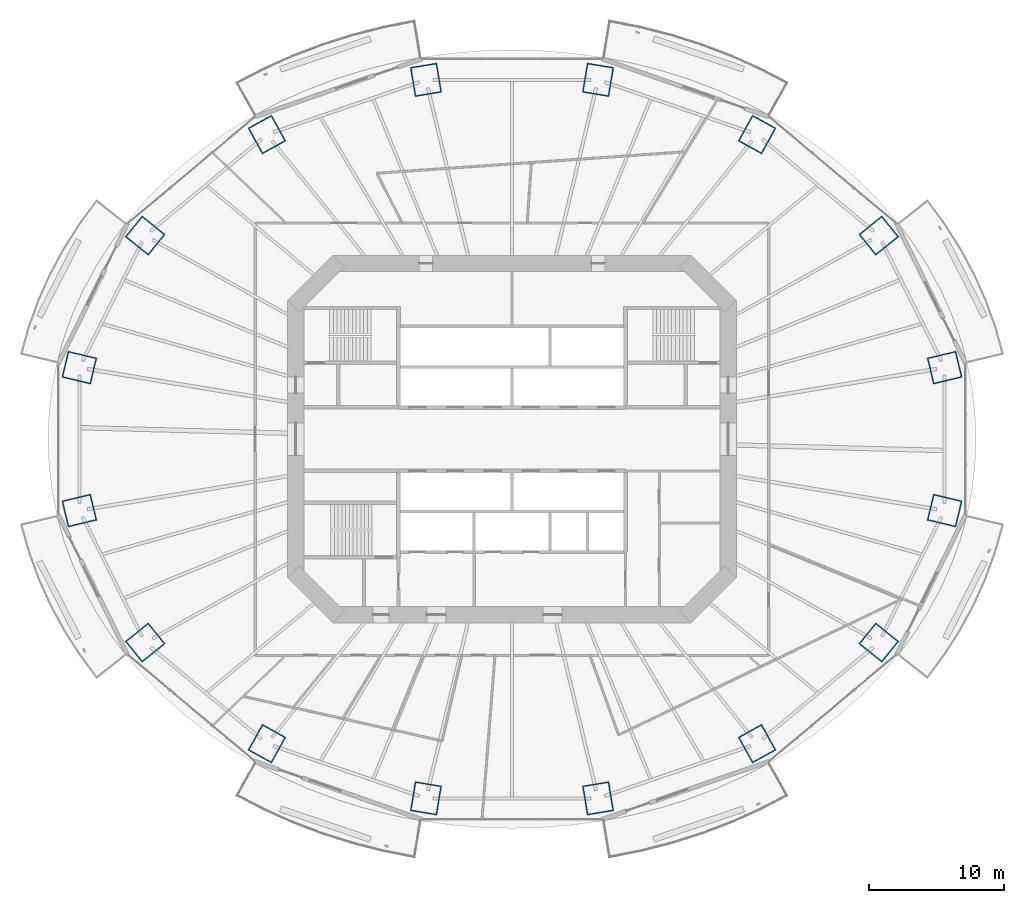
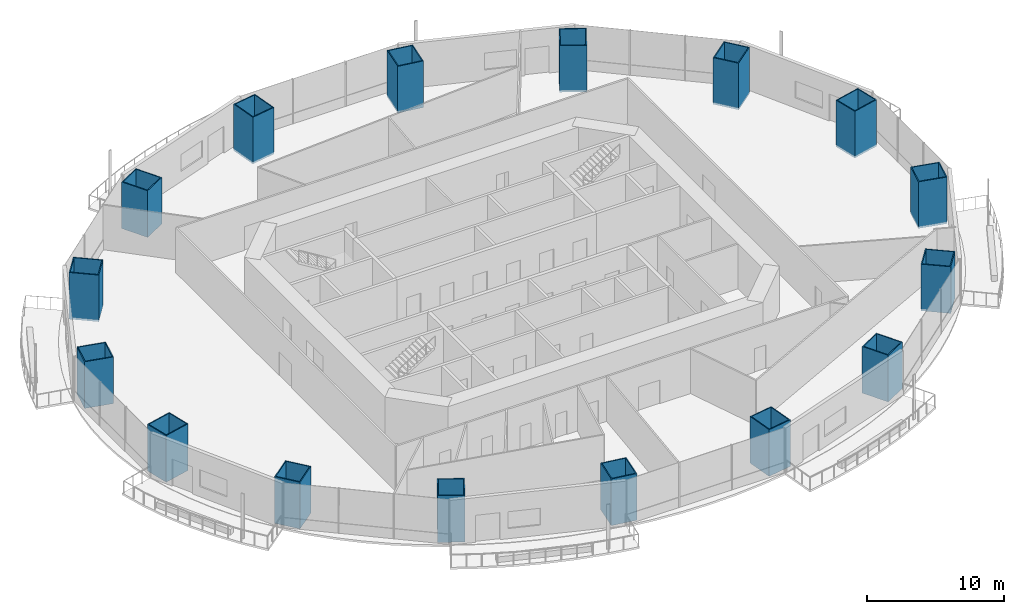
# One storey, part 1 of 22: 16 columns.
"""IFC4 building model written with IfcOpenShell, lengths in metres."""

from ifc_helpers import new_model, si_unit, direction, frame, origin, origin_2d, place, context, subcontext, project, spatial, rectangle, hollow_rectangle, extrude, material, material_profile, profile_set, type_object, element, save


model = new_model("IFC4")

# Units and contexts
model_context = context("Model", 3, precision=1e-05, world=origin(), true_north=direction((0.0, 1.0)))
body_context = subcontext(model_context, "Body", "Model", "MODEL_VIEW")
ifc_project = project(units=[si_unit("LENGTHUNIT", "METRE"), si_unit("AREAUNIT", "SQUARE_METRE"), si_unit("VOLUMEUNIT", "CUBIC_METRE"), si_unit("PLANEANGLEUNIT", "RADIAN"), si_unit("MASSUNIT", "GRAM", prefix="KILO")], contexts=[model_context])

# Site, building, storey
site_placement = place(None, origin())
site = spatial("IfcSite", under=ifc_project, at=site_placement, CompositionType="ELEMENT")
building_placement = place(site_placement, origin())
building = spatial("IfcBuilding", under=site, at=building_placement, Name="Marenthal Gate Tower", CompositionType="ELEMENT")
storey_placement = place(building_placement, frame((0.0, 0.0, 107.699951171875)))
storey = spatial("IfcBuildingStorey", under=building, at=storey_placement, Name="L22", CompositionType="ELEMENT", Elevation=107.699951171875)

# Columns
ifc_material_1 = material(Name="Steel S460", Category="steel")
ifc_material_profile_1 = material_profile(ifc_material_1, hollow_rectangle(XDim=2.0, YDim=2.199951171875, WallThickness=0.080078125, at=origin_2d()), Name="CFT BOX 2200X2000X80")
ifc_material_2 = material(Name="Concrete 70 MPa", Category="concrete")
ifc_material_profile_2 = material_profile(ifc_material_2, rectangle(XDim=1.840087890625, YDim=2.0400390625, at=origin_2d()), Name="CFT BOX 2200X2000X80 INFILL")
ifc_profile_set = profile_set([ifc_material_profile_1, ifc_material_profile_2], Name="Steel S460 shell, Concrete 70 MPa infill")
column_type = type_object("IfcColumnType", Name="CFT BOX 2200X2000X80", PredefinedType="COLUMN", material=ifc_profile_set)
for number, where, z_axis, x_axis, name in (
    (1, (32.018798828125, 5.28857421875, -0.179931640625), (0.0, 0.0, 1.0), (0.232958265263, -0.972486733403, 0.0), "COL-L22-01"),
    (2, (27.144287109375, 15.060302734375, -0.179931640625), (0.0, 0.0, 1.0), (0.626917966941, -0.779085273078, 0.0), "COL-L22-02"),
    (3, (18.13720703125, 22.53955078125, -0.179931640625), (0.0, 0.0, 1.0), (0.874426715146, -0.485157623706, 0.0), "COL-L22-03"),
    (4, (6.368896484375, 26.587158203125, -0.179931640625), (0.0, 0.0, 1.0), (0.986632526278, -0.1629609097, 0.0), "COL-L22-04"),
    (5, (-6.368896484375, 26.587158203125, -0.179931640625), (0.0, 0.0, 1.0), (0.986632526278, 0.1629609097, 0.0), "COL-L22-05"),
    (6, (-18.13720703125, 22.53955078125, -0.179931640625), (0.0, 0.0, 1.0), (0.874426715146, 0.485157623706, 0.0), "COL-L22-06"),
    (7, (-27.144287109375, 15.060302734375, -0.179931640625), (0.0, 0.0, 1.0), (0.626917966941, 0.779085273078, 0.0), "COL-L22-07"),
    (8, (-32.018798828125, 5.28857421875, -0.179931640625), (0.0, 0.0, 1.0), (0.232958265263, 0.972486733403, 0.0), "COL-L22-08"),
    (9, (-32.018798828125, -5.28857421875, -0.179931640625), (0.0, 0.0, 1.0), (-0.232958265263, 0.972486733403, 0.0), "COL-L22-09"),
    (10, (-27.144287109375, -15.060302734375, -0.179931640625), (0.0, 0.0, 1.0), (-0.626917966941, 0.779085273078, 0.0), "COL-L22-10"),
    (11, (-18.13720703125, -22.53955078125, -0.179931640625), (0.0, 0.0, 1.0), (-0.874426715146, 0.485157623706, 0.0), "COL-L22-11"),
    (12, (-6.368896484375, -26.587158203125, -0.179931640625), (0.0, 0.0, 1.0), (-0.986632526278, 0.1629609097, 0.0), "COL-L22-12"),
    (13, (6.368896484375, -26.587158203125, -0.179931640625), (0.0, 0.0, 1.0), (-0.986632526278, -0.1629609097, 0.0), "COL-L22-13"),
    (14, (18.13720703125, -22.53955078125, -0.179931640625), (0.0, 0.0, 1.0), (-0.874426715146, -0.485157623706, 0.0), "COL-L22-14"),
    (15, (27.144287109375, -15.060302734375, -0.179931640625), (0.0, 0.0, 1.0), (-0.626917966941, -0.779085273078, 0.0), "COL-L22-15"),
    (16, (32.018798828125, -5.28857421875, -0.179931640625), (0.0, 0.0, 1.0), (-0.232958265263, -0.972486733403, 0.0), "COL-L22-16"),
):
    element("IfcColumn", number, at=place(storey_placement, frame(where, z_axis=z_axis, x_axis=x_axis)), inside=storey, type_object=column_type, Name=name, PredefinedType="COLUMN", context=body_context, shape_type="SweptSolid", body=[
        extrude(hollow_rectangle(XDim=2.0, YDim=2.199951171875, WallThickness=0.080078125, at=origin_2d()), origin(), (0.0, 0.0, 1.0), 4.14990234375),
    ])

save(model, "model.ifc")
